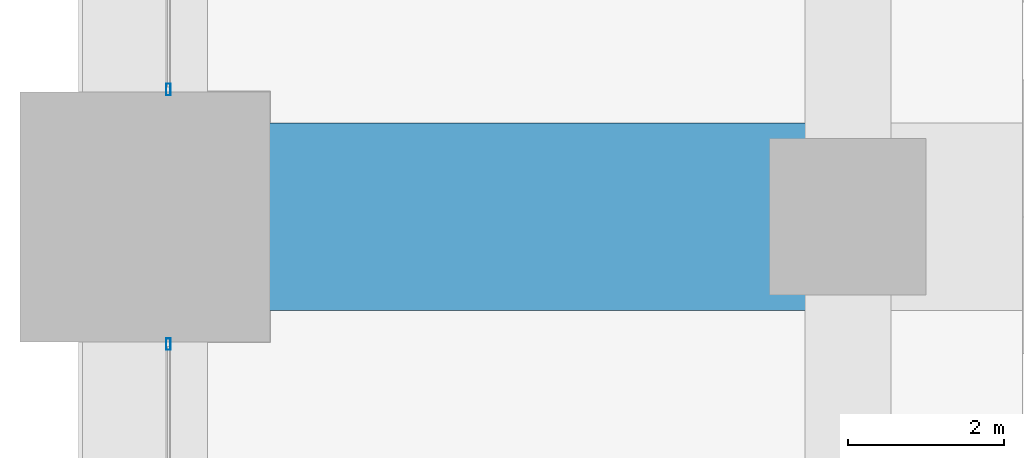
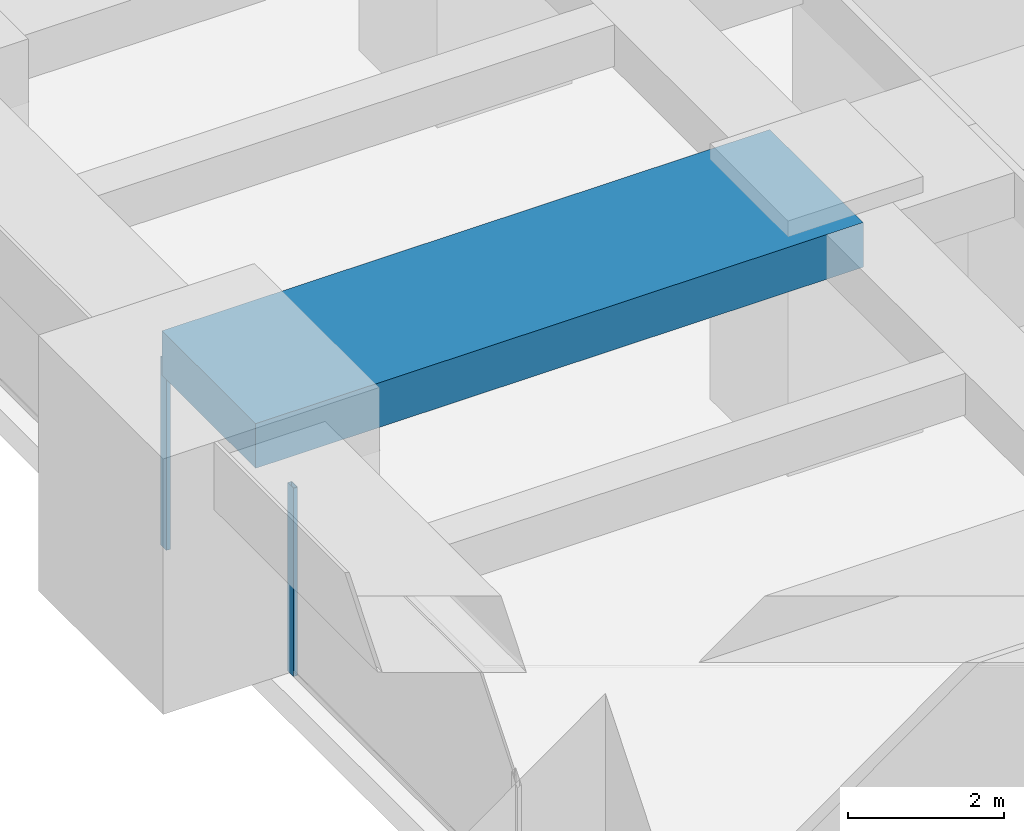
# One storey, part 12 of 35: 2 members, 1 beam, 2 elements without a shape of their own.
"""IFC4 building model written with IfcOpenShell, lengths in metres."""

import ifcopenshell
import ifcopenshell.guid

model = None  # the IFC model being written
_history = None  # IfcOwnerHistory: only IFC2X3 demands one
_inside = {}  # id of a spatial element -> (the spatial element, [elements in it])
_under = {}  # id of a project, library or spatial element -> (it, [spatial elements below it])
_declared = {}  # id of a project -> (the project, [libraries it declares])
_typed = {}  # id of a type object -> (the type object, [elements of that type])
_made_of = {}  # id of a material, layer set ... -> (it, [elements and type objects made of it])


def new_model(schema):
    """Start an empty IFC model of exactly this schema.

    Asked for "IFC4X3", IfcOpenShell would pick the latest addendum, in which some entities
    have other attributes; the version numbers below select the first issue.
    IFC2X3 requires an IfcOwnerHistory on every rooted entity: one is made here for all.
    """
    global model, _history
    if schema == "IFC4X3":
        model = ifcopenshell.file(schema_version=(4, 3, 0, 0))
    else:
        model = ifcopenshell.file(schema=schema)
    _inside.clear()
    _under.clear()
    _declared.clear()
    _typed.clear()
    _made_of.clear()
    _history = None
    if model.schema == "IFC2X3":
        org = make("IfcOrganization", Name="unknown")
        user = make(
            "IfcPersonAndOrganization",
            ThePerson=make("IfcPerson", FamilyName="unknown"),
            TheOrganization=org,
        )
        app = make(
            "IfcApplication",
            ApplicationDeveloper=org,
            Version="unknown",
            ApplicationFullName="unknown",
            ApplicationIdentifier="unknown",
        )
        _history = make(
            "IfcOwnerHistory",
            OwningUser=user,
            OwningApplication=app,
            ChangeAction="ADDED",
            CreationDate=0,
        )
    return model


def make(cls, **values):
    """One entity of the class cls with the attributes given. An attribute that is None is left unset."""
    return model.create_entity(
        cls, **{name: value for name, value in values.items() if value is not None}
    )


def rooted(cls, **values):
    """An entity with a GlobalId (a new one), such as an element, a storey or a relation."""
    return make(cls, GlobalId=ifcopenshell.guid.new(), OwnerHistory=_history, **values)


def si_unit(unit_type, name, prefix=None):
    """IfcSIUnit, for example si_unit("LENGTHUNIT", "METRE", prefix="MILLI")."""
    return make("IfcSIUnit", UnitType=unit_type, Prefix=prefix, Name=name)


def assignment(units):
    """IfcUnitAssignment: the units of a project."""
    return None if units is None else make("IfcUnitAssignment", Units=units)


def point(xyz):
    """IfcCartesianPoint."""
    return None if xyz is None else make("IfcCartesianPoint", Coordinates=xyz)


def direction(xyz):
    """IfcDirection."""
    return None if xyz is None else make("IfcDirection", DirectionRatios=xyz)


def frame(location, z_axis=None, x_axis=None):
    """IfcAxis2Placement3D, a coordinate frame: its origin and axes. An axis left out is left unset."""
    return make(
        "IfcAxis2Placement3D",
        Location=point(location),
        Axis=direction(z_axis),
        RefDirection=direction(x_axis),
    )


def frame_2d(location, x_axis=None):
    """IfcAxis2Placement2D, a coordinate frame in the plane: its origin and x axis."""
    return make(
        "IfcAxis2Placement2D", Location=point(location), RefDirection=direction(x_axis)
    )


def origin():
    """The frame at (0, 0, 0) with its axes left unset."""
    return frame((0.0, 0.0, 0.0))


def origin_2d():
    """The frame at (0, 0) in the plane with its x axis left unset."""
    return frame_2d((0.0, 0.0))


def place(relative_to, where):
    """IfcLocalPlacement: puts the frame where relative to a parent placement (None: the world)."""
    return make(
        "IfcLocalPlacement", PlacementRelTo=relative_to, RelativePlacement=where
    )


def context(
    kind, dimensions, precision=None, world=None, true_north=None, identifier=None
):
    """IfcGeometricRepresentationContext, for example the 3D "Model" context."""
    return make(
        "IfcGeometricRepresentationContext",
        ContextIdentifier=identifier,
        ContextType=kind,
        CoordinateSpaceDimension=dimensions,
        Precision=precision,
        WorldCoordinateSystem=world,
        TrueNorth=true_north,
    )


def subcontext(parent, identifier, kind, view, scale=None):
    """IfcGeometricRepresentationSubContext, for example "Body" below "Model"."""
    return make(
        "IfcGeometricRepresentationSubContext",
        ContextIdentifier=identifier,
        ContextType=kind,
        ParentContext=parent,
        TargetScale=scale,
        TargetView=view,
    )


def project(units=None, contexts=None):
    """IfcProject with its units and contexts."""
    return rooted(
        "IfcProject",
        Name="project",
        RepresentationContexts=contexts,
        UnitsInContext=assignment(units),
    )


def spatial(cls, under=None, at=None, **own):
    """A site, building, storey or space (cls), placed at a placement, below another one or the project."""
    s = rooted(cls, ObjectPlacement=at, **own)
    if under is not None:
        _under.setdefault(under.id(), (under, []))[1].append(s)
    return s


def profile(cls, at=None, kind="AREA", **sizes):
    """A parametric profile (cls). Its sizes go by their IFC names, for example OverallWidth=200.0."""
    return make(cls, ProfileType=kind, Position=at, **sizes)


def rectangle(**sizes):
    """IfcRectangleProfileDef."""
    return profile("IfcRectangleProfileDef", **sizes)


def hollow_rectangle(**sizes):
    """IfcRectangleHollowProfileDef."""
    return profile("IfcRectangleHollowProfileDef", **sizes)


def extrude(swept, where, along, depth):
    """IfcExtrudedAreaSolid: the profile swept, set in the frame where, extruded along a direction by depth."""
    return make(
        "IfcExtrudedAreaSolid",
        SweptArea=swept,
        Position=where,
        ExtrudedDirection=direction(along),
        Depth=depth,
    )


def shape(context_of_items, identifier, shape_type, items):
    """IfcShapeRepresentation: the items that make up one representation, for example the "Body"."""
    return make(
        "IfcShapeRepresentation",
        ContextOfItems=context_of_items,
        RepresentationIdentifier=identifier,
        RepresentationType=shape_type,
        Items=items,
    )


def material(Name=None, Category=None):
    """IfcMaterial."""
    return make("IfcMaterial", Name=Name, Category=Category)


def material_profile(
    of_material, cross_section, Name=None, Category=None, Priority=None
):
    """IfcMaterialProfile: a cross section and its material."""
    return make(
        "IfcMaterialProfile",
        Name=Name,
        Material=of_material,
        Profile=cross_section,
        Priority=Priority,
        Category=Category,
    )


def profile_set(profiles, Name=None, composite=None):
    """IfcMaterialProfileSet."""
    return make(
        "IfcMaterialProfileSet",
        Name=Name,
        MaterialProfiles=profiles,
        CompositeProfile=composite,
    )


def made_of(thing, what):
    """Note that an element or type object is made of a material, layer set ...; save() writes the relation."""
    if what is not None:
        _made_of.setdefault(what.id(), (what, []))[1].append(thing)
    return thing


def type_object(cls, material=None, **own):
    """A type object (cls), such as IfcWallType, which elements share."""
    return made_of(rooted(cls, **own), material)


def element(
    cls,
    number,
    at=None,
    inside=None,
    cuts=None,
    type_object=None,
    material=None,
    context=None,
    identifier="Body",
    shape_type=None,
    held_by="IfcProductDefinitionShape",
    body=None,
    shapes=None,
    **own,
):
    """One element of the class cls, such as IfcWall. Its Tag is "e" and its number.

    at: its placement. inside: the storey or other place that contains it. cuts: it is an
    opening in that element (IfcRelVoidsElement). A single representation is given by context,
    identifier, shape_type and body (its items); several are given by shapes. held_by: the class
    of the entity that holds the representations. save() writes the other relations.
    """
    e = rooted(cls, Tag="e%d" % number, ObjectPlacement=at, **own)
    if body is not None:
        shapes = [shape(context, identifier, shape_type, body)]
    if shapes is not None:
        e.Representation = make(held_by, Representations=shapes)
    if inside is not None:
        _inside.setdefault(inside.id(), (inside, []))[1].append(e)
    if cuts is not None:
        rooted(
            "IfcRelVoidsElement", RelatingBuildingElement=cuts, RelatedOpeningElement=e
        )
    if type_object is not None:
        _typed.setdefault(type_object.id(), (type_object, []))[1].append(e)
    return made_of(e, material)


def aggregate(whole, parts):
    """IfcRelAggregates: a whole, such as a stair, and the parts it consists of."""
    return rooted("IfcRelAggregates", RelatingObject=whole, RelatedObjects=parts)


def save(model, path):
    """Write the relations noted so far, then the file.

    IfcRelAggregates (storeys below a building ...), IfcRelContainedInSpatialStructure (elements
    in a storey), IfcRelDefinesByType, IfcRelAssociatesMaterial and IfcRelDeclares: one each for
    every whole, place, type object, material and project.
    """
    for whole, parts in _under.values():
        aggregate(whole, parts)
    for where, things in _inside.values():
        rooted(
            "IfcRelContainedInSpatialStructure",
            RelatedElements=things,
            RelatingStructure=where,
        )
    for kind, things in _typed.values():
        rooted("IfcRelDefinesByType", RelatedObjects=things, RelatingType=kind)
    for what, things in _made_of.values():
        rooted("IfcRelAssociatesMaterial", RelatedObjects=things, RelatingMaterial=what)
    for by, libraries in _declared.values():
        rooted("IfcRelDeclares", RelatingContext=by, RelatedDefinitions=libraries)
    model.write(path)


model = new_model("IFC4")

# Units and contexts
model_context = context("Model", 3, precision=1e-05, world=origin(), true_north=direction((0.0, 1.0)))
body_context = subcontext(model_context, "Body", "Model", "MODEL_VIEW")
ifc_project = project(units=[si_unit("LENGTHUNIT", "METRE"), si_unit("AREAUNIT", "SQUARE_METRE"), si_unit("VOLUMEUNIT", "CUBIC_METRE"), si_unit("PLANEANGLEUNIT", "RADIAN"), si_unit("MASSUNIT", "GRAM", prefix="KILO")], contexts=[model_context])

# Site, building, storey
site_placement = place(None, origin())
site = spatial("IfcSite", under=ifc_project, at=site_placement, CompositionType="ELEMENT")
building_placement = place(site_placement, origin())
building = spatial("IfcBuilding", under=site, at=building_placement, Name="Zorevar Civic Tower", CompositionType="ELEMENT")
storey_placement = place(building_placement, frame((0.0, 0.0, 162.199951171875)))
storey = spatial("IfcBuildingStorey", under=building, at=storey_placement, Name="L39", CompositionType="ELEMENT", Elevation=162.199951171875)

# Beam
ifc_material_1 = material(Name="Concrete C50/60", Category="concrete")
ifc_material_profile_1 = material_profile(ifc_material_1, rectangle(XDim=2.39990234375, YDim=0.699951171875, at=origin_2d()), Name="RC 2400x700")
ifc_profile_set_1 = profile_set([ifc_material_profile_1], Name="Concrete C50/60")
beam_type = type_object("IfcBeamType", Name="Beam RC 2400x700", PredefinedType="BEAM", material=ifc_profile_set_1)
beam_placement = place(storey_placement, frame((0.0, 27.0, 3.400146484375), z_axis=(1.0, 0.0, 0.0), x_axis=(0.0, 1.0, 0.0)))
element("IfcBeam", 1, at=beam_placement, inside=storey, type_object=beam_type, Name="Girder L40", PredefinedType="BEAM", context=body_context, shape_type="SweptSolid", body=[
    extrude(rectangle(XDim=2.39990234375, YDim=0.699951171875, at=origin_2d()), origin(), (0.0, 0.0, 1.0), 9.0),
])

# Curtain wall, member
ifc_material_2 = material(Name="Dark grey solar-control glass in black aluminium frame", Category="aluminium")
curtain_wall_type = type_object("IfcCurtainWallType", Name="Curtain wall CW4 high zone", PredefinedType="NOTDEFINED", material=ifc_material_2)
curtain_wall_1_placement = place(storey_placement, origin())
curtain_wall_1 = element("IfcCurtainWall", 2, at=curtain_wall_1_placement, inside=storey, type_object=curtain_wall_type, Name="CW4 L39", PredefinedType="NOTDEFINED")
ifc_material_3 = material(Name="Aluminium, black anodised", Category="aluminium")
ifc_material_profile_2 = material_profile(ifc_material_3, hollow_rectangle(XDim=0.06005859375, YDim=0.14990234375, WallThickness=0.00390625, at=origin_2d()), Name="AL 150x60x4")
ifc_profile_set_2 = profile_set([ifc_material_profile_2], Name="Aluminium, black anodised")
member_type = type_object("IfcMemberType", Name="CW4 mullion AL 150x60x4", PredefinedType="MULLION", material=ifc_profile_set_2)
member_1_placement = place(storey_placement, frame((0.300048828125, 25.3701171875, 0.0), z_axis=(0.0, 0.0, 1.0), x_axis=(-1.0, 0.0, 0.0)))
member_1 = element("IfcMember", 3, at=member_1_placement, type_object=member_type, Name="CW4 mullion 2", PredefinedType="MULLION", context=body_context, shape_type="SweptSolid", body=[
    extrude(hollow_rectangle(XDim=0.06005859375, YDim=0.14990234375, WallThickness=0.00390625, at=origin_2d()), origin(), (0.0, 0.0, 1.0), 2.949951171875),
])
aggregate(curtain_wall_1, [member_1])

curtain_wall_2_placement = place(storey_placement, origin())
curtain_wall_2 = element("IfcCurtainWall", 4, at=curtain_wall_2_placement, inside=storey, type_object=curtain_wall_type, Name="CW4 L39", PredefinedType="NOTDEFINED")
member_2_placement = place(storey_placement, frame((0.300048828125, 28.6298828125, 0.0), z_axis=(0.0, 0.0, 1.0), x_axis=(-1.0, 0.0, 0.0)))
member_2 = element("IfcMember", 5, at=member_2_placement, type_object=member_type, Name="CW4 mullion 1", PredefinedType="MULLION", context=body_context, shape_type="SweptSolid", body=[
    extrude(hollow_rectangle(XDim=0.06005859375, YDim=0.14990234375, WallThickness=0.00390625, at=origin_2d()), origin(), (0.0, 0.0, 1.0), 2.949951171875),
])
aggregate(curtain_wall_2, [member_2])

save(model, "model.ifc")
